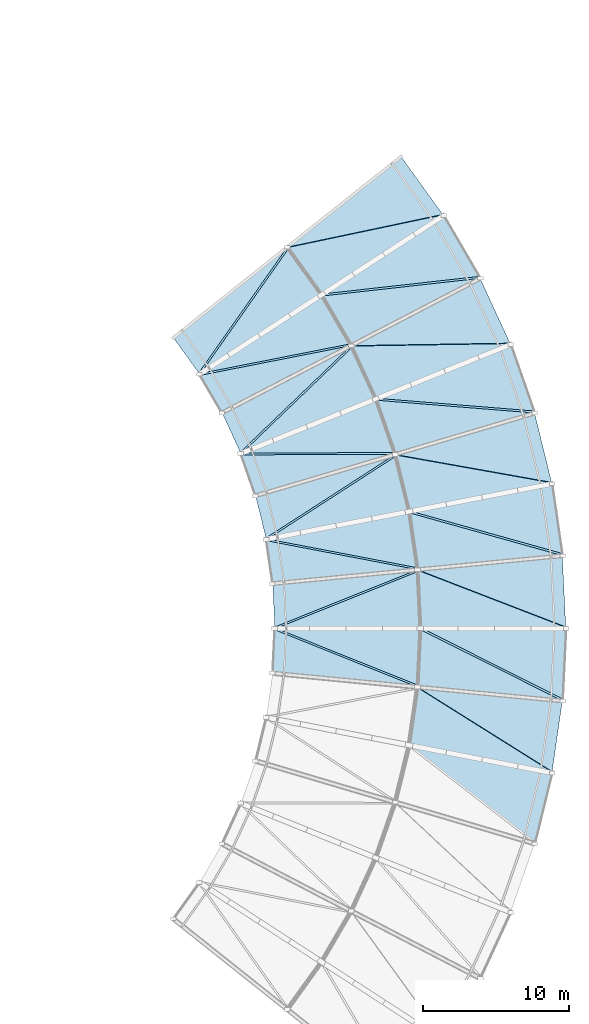
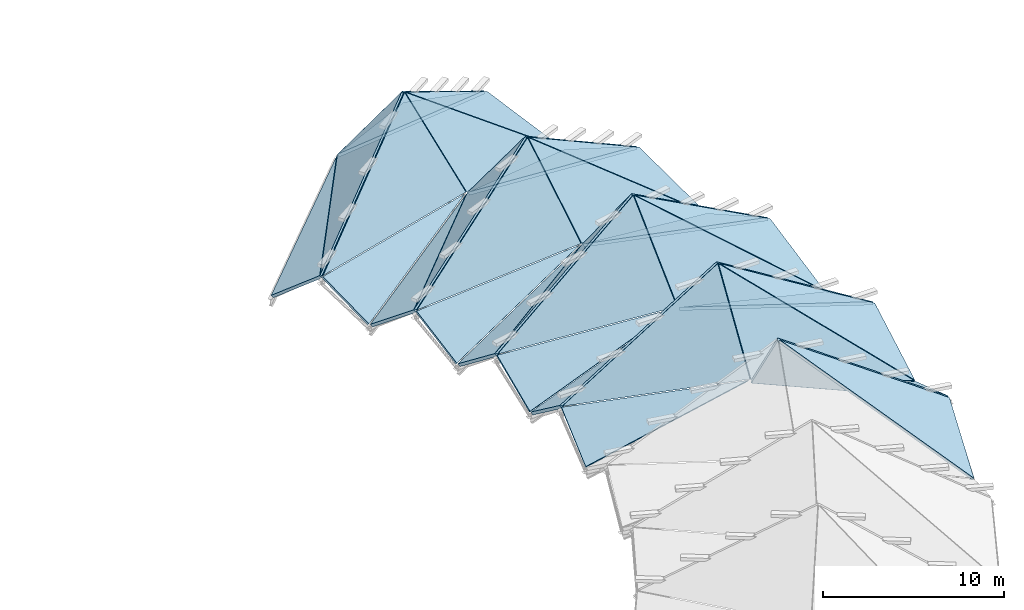
# One storey, part 6 of 10: 35 slabs.
"""IFC4 building model written with IfcOpenShell, lengths in metres."""

from ifc_helpers import new_model, si_unit, direction, frame, origin, place, context, subcontext, project, spatial, polyline, outline, extrude, material, layer, layer_set, type_object, element, save


model = new_model("IFC4")

# Units and contexts
model_context = context("Model", 3, precision=1e-05, world=origin(), true_north=direction((0.0, 1.0)))
body_context = subcontext(model_context, "Body", "Model", "MODEL_VIEW")
ifc_project = project(units=[si_unit("LENGTHUNIT", "METRE"), si_unit("AREAUNIT", "SQUARE_METRE"), si_unit("VOLUMEUNIT", "CUBIC_METRE"), si_unit("PLANEANGLEUNIT", "RADIAN"), si_unit("MASSUNIT", "GRAM", prefix="KILO")], contexts=[model_context])

# Site, building, storey
site_placement = place(None, origin())
site = spatial("IfcSite", under=ifc_project, at=site_placement, CompositionType="ELEMENT")
building_placement = place(site_placement, origin())
building = spatial("IfcBuilding", under=site, at=building_placement, Name="Vanh Quang Courtyard School", CompositionType="ELEMENT")
storey_placement = place(building_placement, frame((0.0, 0.0, 25.800048828125)))
storey = spatial("IfcBuildingStorey", under=building, at=storey_placement, Name="ROOF", CompositionType="ELEMENT", Elevation=25.800048828125)

# Slabs
ifc_material = material(Name="Precast concrete C40/50", Category="concrete")
ifc_layer_1 = layer(ifc_material, 0.18994140625)
ifc_layer_set_1 = layer_set([ifc_layer_1], Name="Precast concrete C40/50")
slab_type_1 = type_object("IfcSlabType", Name="SLB-FPR-190", PredefinedType="ROOF", material=ifc_layer_set_1)
slab_1_placement = place(storey_placement, frame((153.298583984375, 47.878173828125, -7.26513671875), z_axis=(0.406888191279, -0.46386087632, 0.786940332692), x_axis=(0.627906421049, -0.483665154906, -0.609755315135)))
element("IfcSlab", 1, at=slab_1_placement, inside=storey, type_object=slab_type_1, Name="Slab SR-04 (ROOF)", PredefinedType="ROOF", context=body_context, shape_type="SweptSolid", body=[
    extrude(outline(polyline([(0.0, 0.0), (13.625310452450307, 1.1102230246251565e-16), (10.748173901082222, 4.461316558296907), (0.0, 0.0)])), origin(), (0.0, 0.0, -1.0), 0.18994140625),
])
slab_2_placement = place(storey_placement, frame((153.88623046875, 51.92431640625, -12.616455078125), z_axis=(0.300868573801, 0.357853369126, 0.883979110332), x_axis=(0.844896594869, -0.529919144302, -0.073044126948)))
element("IfcSlab", 2, at=slab_2_placement, inside=storey, type_object=slab_type_1, Name="Slab SR-04 (ROOF)", PredefinedType="ROOF", context=body_context, shape_type="SweptSolid", body=[
    extrude(outline(polyline([(0.0, 0.0), (10.83596915066476, -1.3877787807814457e-15), (9.039951721581303, 4.997350815190213), (0.0, 0.0)])), origin(), (0.0, 0.0, -1.0), 0.18994140625),
])
slab_3_placement = place(storey_placement, frame((144.0693359375, 55.91357421875, -13.37646484375), z_axis=(-0.34719906304, -0.752223733603, 0.560010950989), x_axis=(0.925557808602, -0.371004282979, 0.075488839882)))
element("IfcSlab", 3, at=slab_3_placement, inside=storey, type_object=slab_type_1, Name="Slab SR-04 (ROOF)", PredefinedType="ROOF", context=body_context, shape_type="SweptSolid", body=[
    extrude(outline(polyline([(0.0, 0.0), (10.501215949496569, 1.1102230246251565e-16), (9.635288452717722, 6.564778953657951), (0.0, 0.0)])), origin(), (0.0, 0.0, -1.0), 0.18994140625),
])
slab_4_placement = place(storey_placement, frame((154.08935546875, 55.90771484375, -7.26513671875), z_axis=(0.48792056514, -0.37767906411, 0.786951108168), x_axis=(0.708667489183, -0.354969827013, -0.609743234227)))
element("IfcSlab", 4, at=slab_4_placement, inside=storey, type_object=slab_type_1, Name="Slab SR-04 (ROOF)", PredefinedType="ROOF", context=body_context, shape_type="SweptSolid", body=[
    extrude(outline(polyline([(0.0, 0.0), (13.625580412199998, 5.551115123125783e-16), (10.74830758766771, 4.461361587607251), (0.0, 0.0)])), origin(), (0.0, 0.0, -1.0), 0.18994140625),
])
slab_5_placement = place(storey_placement, frame((144.0693359375, 56.08642578125, -13.37646484375), z_axis=(-0.34719906304, 0.752223733603, 0.560010950989), x_axis=(0.849907943279, 0.0, 0.526931198499)))
element("IfcSlab", 5, at=slab_5_placement, inside=storey, type_object=slab_type_1, Name="Slab SR-04 (ROOF)", PredefinedType="ROOF", context=body_context, shape_type="SweptSolid", body=[
    extrude(outline(polyline([(0.0, 0.0), (11.659121162311756, 0.0), (8.678376643408786, 5.912809421340922), (0.0, 0.0)])), origin(), (0.0, 0.0, -1.0), 0.18994140625),
])
slab_6_placement = place(storey_placement, frame((153.894287109375, 59.991455078125, -12.616455078125), z_axis=(0.227055847714, 0.40871070809, 0.883969003479), x_axis=(0.930494309018, -0.358950008021, -0.073042676751)))
element("IfcSlab", 6, at=slab_6_placement, inside=storey, type_object=slab_type_1, Name="Slab SR-04 (ROOF)", PredefinedType="ROOF", context=body_context, shape_type="SweptSolid", body=[
    extrude(outline(polyline([(0.0, 0.0), (10.836184289125544, 8.326672684688674e-16), (9.040062848456012, 4.997149787085477), (0.0, 0.0)])), origin(), (0.0, 0.0, -1.0), 0.18994140625),
])
slab_7_placement = place(storey_placement, frame((143.49658203125, 62.0341796875, -13.37646484375), z_axis=(-0.1972792795, -0.804678686951, 0.559975978633), x_axis=(0.979346321028, -0.18756952209, 0.075488130668)))
element("IfcSlab", 7, at=slab_7_placement, inside=storey, type_object=slab_type_1, Name="Slab SR-04 (ROOF)", PredefinedType="ROOF", context=body_context, shape_type="SweptSolid", body=[
    extrude(outline(polyline([(0.0, 0.0), (10.501314608839794, 0.0), (9.6350541301593, 6.5646192899462985), (0.0, 0.0)])), origin(), (0.0, 0.0, -1.0), 0.18994140625),
])
slab_8_placement = place(storey_placement, frame((153.333740234375, 63.9404296875, -7.26513671875), z_axis=(0.551026994551, -0.277637066269, 0.786947844974), x_axis=(0.763376276339, -0.213223586716, -0.609747786213)))
element("IfcSlab", 8, at=slab_8_placement, inside=storey, type_object=slab_type_1, Name="Slab SR-04 (ROOF)", PredefinedType="ROOF", context=body_context, shape_type="SweptSolid", body=[
    extrude(outline(polyline([(0.0, 0.0), (13.625478692351267, 1.1102230246251565e-15), (10.748196032700882, 4.461263238576291), (0.0, 0.0)])), origin(), (0.0, 0.0, -1.0), 0.18994140625),
])
slab_9_placement = place(storey_placement, frame((143.463623046875, 62.2041015625, -13.37646484375), z_axis=(-0.48434413413, 0.672163151778, 0.560006658108), x_axis=(0.834292505925, 0.162159559407, 0.526934807969)))
element("IfcSlab", 9, at=slab_9_placement, inside=storey, type_object=slab_type_1, Name="Slab SR-04 (ROOF)", PredefinedType="ROOF", context=body_context, shape_type="SweptSolid", body=[
    extrude(outline(polyline([(0.0, 0.0), (11.659041298063254, 4.440892098500626e-16), (8.678145710888217, 5.912660817336733), (0.0, 0.0)])), origin(), (0.0, 0.0, -1.0), 0.18994140625),
])
slab_10_placement = place(storey_placement, frame((152.363037109375, 67.911865234375, -12.616455078125), z_axis=(0.14489923524, 0.444517755752, 0.883972950066), x_axis=(0.981888767441, -0.174811843385, -0.073042917419)))
element("IfcSlab", 10, at=slab_10_placement, inside=storey, type_object=slab_type_1, Name="Slab SR-04 (ROOF)", PredefinedType="ROOF", context=body_context, shape_type="SweptSolid", body=[
    extrude(outline(polyline([(0.0, 0.0), (10.836148585193579, 2.7755575615628914e-16), (9.039840451324674, 4.997262412319091), (0.0, 0.0)])), origin(), (0.0, 0.0, -1.0), 0.18994140625),
])
slab_11_placement = place(storey_placement, frame((141.7666015625, 67.93310546875, -13.37646484375), z_axis=(-0.040119085618, -0.827513546002, 0.560010526822), x_axis=(0.997142861394, 0.002743363433, 0.075488992095)))
element("IfcSlab", 11, at=slab_11_placement, inside=storey, type_object=slab_type_1, Name="Slab SR-04 (ROOF)", PredefinedType="ROOF", context=body_context, shape_type="SweptSolid", body=[
    extrude(outline(polyline([(0.0, 0.0), (10.501194775248504, 1.1102230246251565e-16), (9.635204589371066, 6.564782669235458), (0.0, 0.0)])), origin(), (0.0, 0.0, -1.0), 0.18994140625),
])
slab_12_placement = place(storey_placement, frame((151.059326171875, 71.681396484375, -7.26513671875), z_axis=(0.593874201112, -0.167419500971, 0.786946087066), x_axis=(0.790036870794, -0.06364444718, -0.609746772955)))
element("IfcSlab", 12, at=slab_12_placement, inside=storey, type_object=slab_type_1, Name="Slab SR-04 (ROOF)", PredefinedType="ROOF", context=body_context, shape_type="SweptSolid", body=[
    extrude(outline(polyline([(0.0, 0.0), (13.625501334739987, 2.220446049250313e-16), (10.748334936009545, 4.461044016018851), (0.0, 0.0)])), origin(), (0.0, 0.0, -1.0), 0.18994140625),
])
slab_13_placement = place(storey_placement, frame((141.701904296875, 68.093505859375, -13.37646484375), z_axis=(-0.603719734411, 0.567412053958, 0.559969680702), x_axis=(0.788006256838, 0.318397999926, 0.526942931282)))
element("IfcSlab", 13, at=slab_13_placement, inside=storey, type_object=slab_type_1, Name="Slab SR-04 (ROOF)", PredefinedType="ROOF", context=body_context, shape_type="SweptSolid", body=[
    extrude(outline(polyline([(0.0, 0.0), (11.658861563160947, -8.881784197001252e-16), (8.678333844406938, 5.912688528316831), (0.0, 0.0)])), origin(), (0.0, 0.0, -1.0), 0.18994140625),
])
slab_14_placement = place(storey_placement, frame((149.3486328125, 75.394775390625, -12.616455078125), z_axis=(0.057433447705, 0.463982837702, 0.883980387454), x_axis=(0.997204704074, 0.015726364289, -0.073044230696)))
element("IfcSlab", 14, at=slab_14_placement, inside=storey, type_object=slab_type_1, Name="Slab SR-04 (ROOF)", PredefinedType="ROOF", context=body_context, shape_type="SweptSolid", body=[
    extrude(outline(polyline([(0.0, 0.0), (10.835953759894242, 5.551115123125783e-17), (9.039987972122722, 4.997369684569032), (0.0, 0.0)])), origin(), (0.0, 0.0, -1.0), 0.18994140625),
])
slab_15_placement = place(storey_placement, frame((138.94287109375, 73.3935546875, -13.37646484375), z_axis=(0.118525912674, -0.819971778665, 0.559998116263), x_axis=(0.978296981897, 0.19296715582, 0.075489681319)))
element("IfcSlab", 15, at=slab_15_placement, inside=storey, type_object=slab_type_1, Name="Slab SR-04 (ROOF)", PredefinedType="ROOF", context=body_context, shape_type="SweptSolid", body=[
    extrude(outline(polyline([(0.0, 0.0), (10.501098898876823, -1.1102230246251565e-16), (9.635157532730338, 6.564712400939119), (0.0, 0.0)])), origin(), (0.0, 0.0, -1.0), 0.18994140625),
])
slab_16_placement = place(storey_placement, frame((147.349609375, 78.845947265625, -7.26513671875), z_axis=(0.614912346195, -0.05099302504, 0.786945053924), x_axis=(0.787661628324, 0.08826454608, -0.609752842692)))
element("IfcSlab", 16, at=slab_16_placement, inside=storey, type_object=slab_type_1, Name="Slab SR-04 (ROOF)", PredefinedType="ROOF", context=body_context, shape_type="SweptSolid", body=[
    extrude(outline(polyline([(0.0, 0.0), (13.625365700757316, -3.3306690738754696e-16), (10.74807932966452, 4.4615287681705365), (0.0, 0.0)])), origin(), (0.0, 0.0, -1.0), 0.18994140625),
])
slab_17_placement = place(storey_placement, frame((138.8486328125, 73.538818359375, -13.37646484375), z_axis=(-0.700881590222, 0.441790773897, 0.55998741824), x_axis=(0.712788468533, 0.462886368487, 0.52694288969)))
element("IfcSlab", 17, at=slab_17_placement, inside=storey, type_object=slab_type_1, Name="Slab SR-04 (ROOF)", PredefinedType="ROOF", context=body_context, shape_type="SweptSolid", body=[
    extrude(outline(polyline([(0.0, 0.0), (11.658862483391072, 0.0), (8.678181367475778, 5.912705652390863), (0.0, 0.0)])), origin(), (0.0, 0.0, -1.0), 0.18994140625),
])
slab_18_placement = place(storey_placement, frame((144.961669921875, 82.164794921875, -12.616455078125), z_axis=(-0.032162465363, 0.466425741623, 0.883975454056), x_axis=(0.975880109971, 0.205724737594, -0.073043434375)))
element("IfcSlab", 18, at=slab_18_placement, inside=storey, type_object=slab_type_1, Name="Slab SR-04 (ROOF)", PredefinedType="ROOF", context=body_context, shape_type="SweptSolid", body=[
    extrude(outline(polyline([(0.0, 0.0), (10.836071893674074, -1.1102230246251565e-16), (9.040001141285188, 4.997279629633576), (0.0, 0.0)])), origin(), (0.0, 0.0, -1.0), 0.18994140625),
])
ifc_layer_2 = layer(ifc_material, 0.199951171875)
ifc_layer_set_2 = layer_set([ifc_layer_2], Name="Precast concrete C40/50")
slab_type_2 = type_object("IfcSlabType", Name="SLB-FPR-200", PredefinedType="ROOF", material=ifc_layer_set_2)
slab_19_placement = place(storey_placement, frame((153.26416015625, 48.06689453125, -7.232177734375), z_axis=(0.478526790842, 0.687696530676, 0.545972153267), x_axis=(0.834284683182, -0.162183635896, -0.526939783709)))
element("IfcSlab", 19, at=slab_19_placement, inside=storey, type_object=slab_type_2, Name="Slab SR-03 (ROOF)", PredefinedType="ROOF", context=body_context, shape_type="SweptSolid", body=[
    extrude(outline(polyline([(0.0, 0.0), (11.660321158771726, 8.881784197001252e-16), (2.6587939386057893, 6.065211042981902), (0.0, 0.0)])), origin(), (0.0, 0.0, -1.0), 0.199951171875),
])
slab_20_placement = place(storey_placement, frame((143.876708984375, 52.970703125, -15.58056640625), z_axis=(-0.288001376988, -0.560470813631, 0.776484174933), x_axis=(0.953412635314, -0.091802022757, 0.287361680538)))
element("IfcSlab", 20, at=slab_20_placement, inside=storey, type_object=slab_type_2, Name="Slab SR-03 (ROOF)", PredefinedType="ROOF", context=body_context, shape_type="SweptSolid", body=[
    extrude(outline(polyline([(0.0, 0.0), (10.29197604117216, 4.440892098500626e-16), (0.4907723979364418, 3.6156836192215076), (0.0, 0.0)])), origin(), (0.0, 0.0, -1.0), 0.199951171875),
])
slab_21_placement = place(storey_placement, frame((153.8310546875, 52.0078125, -12.588134765625), z_axis=(0.098206328069, -0.806176100108, 0.583468604761), x_axis=(0.953417196244, -0.09181964376, -0.287340917597)))
element("IfcSlab", 21, at=slab_21_placement, inside=storey, type_object=slab_type_2, Name="Slab SR-03 (ROOF)", PredefinedType="ROOF", context=body_context, shape_type="SweptSolid", body=[
    extrude(outline(polyline([(0.0, 0.0), (10.335202474257898, 0.0), (-1.7126891083183735, 6.389286598313446), (0.0, 0.0)])), origin(), (0.0, 0.0, -1.0), 0.199951171875),
])
slab_22_placement = place(storey_placement, frame((144.02001953125, 56.098388671875, -13.411865234375), z_axis=(-0.288001376988, 0.560470813631, 0.776484174933), x_axis=(0.925559919485, 0.370995170353, 0.075507741443)))
element("IfcSlab", 22, at=slab_22_placement, inside=storey, type_object=slab_type_2, Name="Slab SR-03 (ROOF)", PredefinedType="ROOF", context=body_context, shape_type="SweptSolid", body=[
    extrude(outline(polyline([(0.0, 0.0), (10.446854114540121, 1.1102230246251565e-16), (0.7909565625265076, 3.5620799116638686), (0.0, 0.0)])), origin(), (0.0, 0.0, -1.0), 0.199951171875),
])
slab_23_placement = place(storey_placement, frame((154.019775390625, 56.086181640625, -7.232177734375), z_axis=(0.338499809584, 0.766378817235, 0.545968302564), x_axis=(0.849903066788, 0.0, -0.526939063901)))
element("IfcSlab", 23, at=slab_23_placement, inside=storey, type_object=slab_type_2, Name="Slab SR-03 (ROOF)", PredefinedType="ROOF", context=body_context, shape_type="SweptSolid", body=[
    extrude(outline(polyline([(0.0, 0.0), (11.660337086973337, -8.881784197001252e-16), (2.658723046339495, 6.065235854508681), (0.0, 0.0)])), origin(), (0.0, 0.0, -1.0), 0.199951171875),
])
slab_24_placement = place(storey_placement, frame((143.869140625, 59.108642578125, -15.58056640625), z_axis=(-0.175762446337, -0.605146002618, 0.776470139782), x_axis=(0.953412635314, 0.091802022757, 0.287361680538)))
element("IfcSlab", 24, at=slab_24_placement, inside=storey, type_object=slab_type_2, Name="Slab SR-03 (ROOF)", PredefinedType="ROOF", context=body_context, shape_type="SweptSolid", body=[
    extrude(outline(polyline([(0.0, 0.0), (10.29197604117216, 4.440892098500626e-16), (0.4906269534617461, 3.6156328595272367), (0.0, 0.0)])), origin(), (0.0, 0.0, -1.0), 0.199951171875),
])
slab_25_placement = place(storey_placement, frame((153.82421875, 60.062744140625, -12.588134765625), z_axis=(0.250257027316, -0.772603724895, 0.583485136535), x_axis=(0.953417196244, 0.09181964376, -0.287340917597)))
element("IfcSlab", 25, at=slab_25_placement, inside=storey, type_object=slab_type_2, Name="Slab SR-03 (ROOF)", PredefinedType="ROOF", context=body_context, shape_type="SweptSolid", body=[
    extrude(outline(polyline([(0.0, 0.0), (10.335202474257898, 0.0), (-1.7125599818692452, 6.3894422593354285), (0.0, 0.0)])), origin(), (0.0, 0.0, -1.0), 0.199951171875),
])
slab_26_placement = place(storey_placement, frame((143.4130859375, 62.206298828125, -13.411865234375), z_axis=(-0.389632655229, 0.495187135537, 0.776515353858), x_axis=(0.837767213798, 0.540781447425, 0.07550842077)))
element("IfcSlab", 26, at=slab_26_placement, inside=storey, type_object=slab_type_2, Name="Slab SR-03 (ROOF)", PredefinedType="ROOF", context=body_context, shape_type="SweptSolid", body=[
    extrude(outline(polyline([(0.0, 0.0), (10.44676012722878, 1.1102230246251565e-16), (0.7907920324490684, 3.5622817505742326), (0.0, 0.0)])), origin(), (0.0, 0.0, -1.0), 0.199951171875),
])
slab_27_placement = place(storey_placement, frame((153.231201171875, 64.102294921875, -7.232177734375), z_axis=(0.186044317007, 0.816876209199, 0.545986053809), x_axis=(0.834291047437, 0.162180802907, -0.526930579237)))
element("IfcSlab", 27, at=slab_27_placement, inside=storey, type_object=slab_type_2, Name="Slab SR-03 (ROOF)", PredefinedType="ROOF", context=body_context, shape_type="SweptSolid", body=[
    extrude(outline(polyline([(0.0, 0.0), (11.660524842332599, -8.881784197001252e-16), (2.658909662791167, 6.065194157303248), (0.0, 0.0)])), origin(), (0.0, 0.0, -1.0), 0.199951171875),
])
slab_28_placement = place(storey_placement, frame((142.6904296875, 65.132568359375, -15.58056640625), z_axis=(-0.057076193532, -0.627572322993, 0.776463320155), x_axis=(0.918383917397, 0.272016230939, 0.28736414246)))
element("IfcSlab", 28, at=slab_28_placement, inside=storey, type_object=slab_type_2, Name="Slab SR-03 (ROOF)", PredefinedType="ROOF", context=body_context, shape_type="SweptSolid", body=[
    extrude(outline(polyline([(0.0, 0.0), (10.291887867181044, 2.220446049250313e-16), (0.4906416682515746, 3.6155704272598648), (0.0, 0.0)])), origin(), (0.0, 0.0, -1.0), 0.199951171875),
])
slab_29_placement = place(storey_placement, frame((152.28076171875, 67.968505859375, -12.588134765625), z_axis=(0.393073477979, -0.710648924225, 0.58349922657), x_axis=(0.918382216579, 0.272039756312, -0.287347307726)))
element("IfcSlab", 29, at=slab_29_placement, inside=storey, type_object=slab_type_2, Name="Slab SR-03 (ROOF)", PredefinedType="ROOF", context=body_context, shape_type="SweptSolid", body=[
    extrude(outline(polyline([(0.0, 0.0), (10.334972636426995, 0.0), (-1.712780243951282, 6.38945590732073), (0.0, 0.0)])), origin(), (0.0, 0.0, -1.0), 0.199951171875),
])
slab_30_placement = place(storey_placement, frame((141.651611328125, 68.086181640625, -13.411865234375), z_axis=(-0.476990531407, 0.411780546357, 0.776477182272), x_axis=(0.719187899338, 0.690700814064, 0.075505965971)))
element("IfcSlab", 30, at=slab_30_placement, inside=storey, type_object=slab_type_2, Name="Slab SR-03 (ROOF)", PredefinedType="ROOF", context=body_context, shape_type="SweptSolid", body=[
    extrude(outline(polyline([(0.0, 0.0), (10.447099765296112, 8.326672684688674e-16), (0.7910378139579808, 3.5620368359513686), (0.0, 0.0)])), origin(), (0.0, 0.0, -1.0), 0.199951171875),
])
slab_31_placement = place(storey_placement, frame((150.927734375, 71.82080078125, -7.232177734375), z_axis=(0.026765175579, 0.837375912879, 0.545971799552), x_axis=(0.788014603072, 0.318380009946, -0.526941319894)))
element("IfcSlab", 31, at=slab_31_placement, inside=storey, type_object=slab_type_2, Name="Slab SR-03 (ROOF)", PredefinedType="ROOF", context=body_context, shape_type="SweptSolid", body=[
    extrude(outline(polyline([(0.0, 0.0), (11.660287165585764, 8.881784197001252e-16), (2.658899498283046, 6.0651281853994075), (0.0, 0.0)])), origin(), (0.0, 0.0, -1.0), 0.199951171875),
])
slab_32_placement = place(storey_placement, frame((140.384033203125, 70.82080078125, -15.58056640625), z_axis=(0.063730031651, -0.626935766953, 0.77645993276), x_axis=(0.849604969069, 0.442261420687, 0.287360805096)))
element("IfcSlab", 32, at=slab_32_placement, inside=storey, type_object=slab_type_2, Name="Slab SR-03 (ROOF)", PredefinedType="ROOF", context=body_context, shape_type="SweptSolid", body=[
    extrude(outline(polyline([(0.0, 0.0), (10.292007395603417, -2.220446049250313e-16), (0.49064545052430775, 3.6155301506382402), (0.0, 0.0)])), origin(), (0.0, 0.0, -1.0), 0.199951171875),
])
slab_33_placement = place(storey_placement, frame((149.2568359375, 75.4345703125, -12.588134765625), z_axis=(0.521451427197, -0.622607037942, 0.583479978559), x_axis=(0.849601059219, 0.442281060773, -0.287342136583)))
element("IfcSlab", 33, at=slab_33_placement, inside=storey, type_object=slab_type_2, Name="Slab SR-03 (ROOF)", PredefinedType="ROOF", context=body_context, shape_type="SweptSolid", body=[
    extrude(outline(polyline([(0.0, 0.0), (10.33515862942039, 0.0), (-1.7127469233271737, 6.389339345294724), (0.0, 0.0)])), origin(), (0.0, 0.0, -1.0), 0.199951171875),
])
slab_34_placement = place(storey_placement, frame((138.800537109375, 73.52197265625, -13.411865234375), z_axis=(-0.546800389854, 0.313203257226, 0.776474760258), x_axis=(0.574183369019, 0.815237559146, 0.075506164644)))
element("IfcSlab", 34, at=slab_34_placement, inside=storey, type_object=slab_type_2, Name="Slab SR-03 (ROOF)", PredefinedType="ROOF", context=body_context, shape_type="SweptSolid", body=[
    extrude(outline(polyline([(0.0, 0.0), (10.447072276752616, 8.326672684688674e-16), (0.7911427293415212, 3.562032770297635), (0.0, 0.0)])), origin(), (0.0, 0.0, -1.0), 0.199951171875),
])
slab_35_placement = place(storey_placement, frame((147.19384765625, 78.957763671875, -7.232177734375), z_axis=(-0.133490128998, 0.827089502053, 0.545988407435), x_axis=(0.712785351165, 0.462892769249, -0.526941483793)))
element("IfcSlab", 35, at=slab_35_placement, inside=storey, type_object=slab_type_2, Name="Slab SR-03 (ROOF)", PredefinedType="ROOF", context=body_context, shape_type="SweptSolid", body=[
    extrude(outline(polyline([(0.0, 0.0), (11.66028353878812, -8.881784197001252e-16), (2.6587663765784084, 6.0653660858840475), (0.0, 0.0)])), origin(), (0.0, 0.0, -1.0), 0.199951171875),
])

save(model, "model.ifc")
